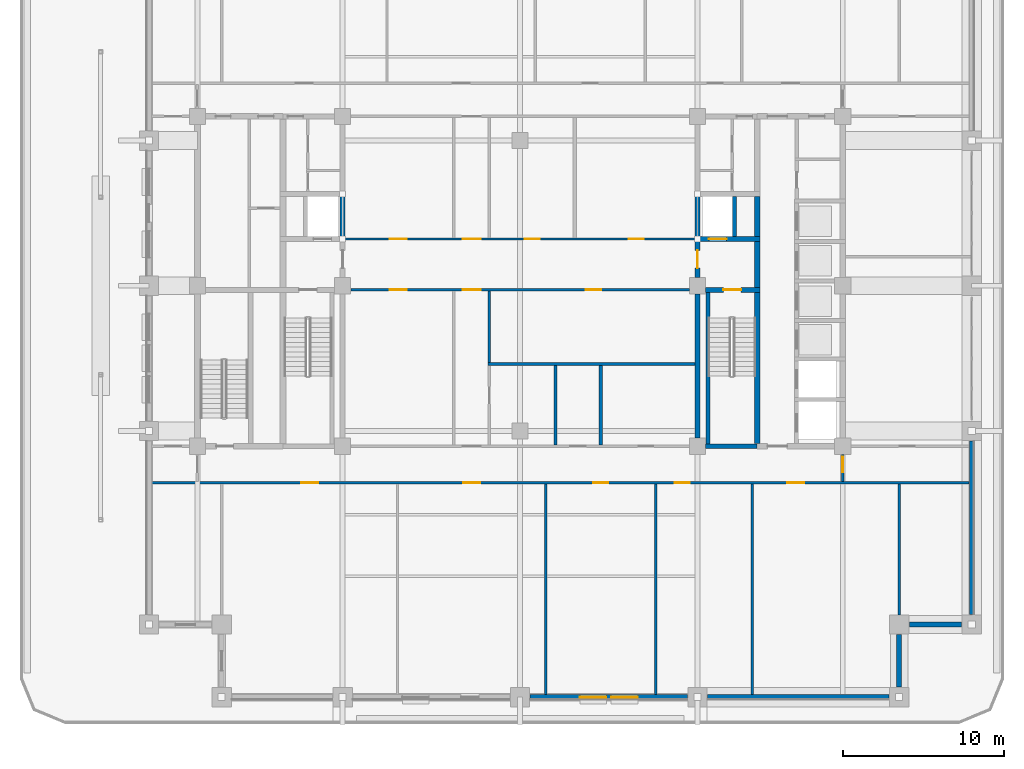
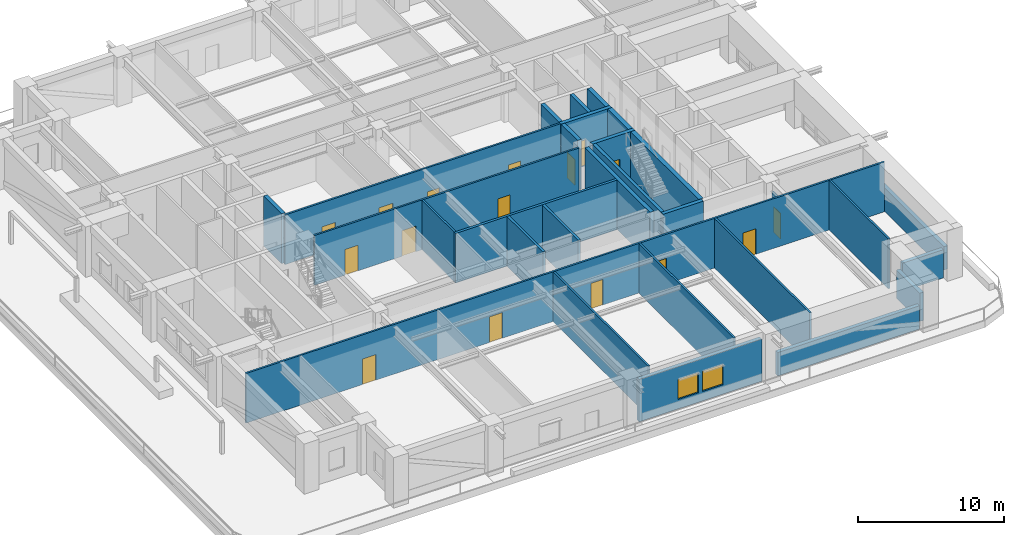
# One storey, part 9 of 21: 29 walls, 16 doors, 2 windows, 18 openings.
"""IFC4 building model written with IfcOpenShell, lengths in metres."""

from ifc_helpers import new_model, si_unit, direction, frame, frame_2d, origin, place, context, subcontext, project, spatial, rectangle, extrude, material, layer, layer_set, type_object, element, fill, save


model = new_model("IFC4")

# Units and contexts
model_context = context("Model", 3, precision=1e-05, world=origin(), true_north=direction((0.0, 1.0)))
body_context = subcontext(model_context, "Body", "Model", "MODEL_VIEW")
ifc_project = project(units=[si_unit("LENGTHUNIT", "METRE"), si_unit("AREAUNIT", "SQUARE_METRE"), si_unit("VOLUMEUNIT", "CUBIC_METRE"), si_unit("PLANEANGLEUNIT", "RADIAN"), si_unit("MASSUNIT", "GRAM", prefix="KILO")], contexts=[model_context])

# Site, building, storey
site_placement = place(None, origin())
site = spatial("IfcSite", under=ifc_project, at=site_placement, CompositionType="ELEMENT")
building_placement = place(site_placement, origin())
building = spatial("IfcBuilding", under=site, at=building_placement, Name="Zulmaris Gate Convention Tower", CompositionType="ELEMENT")
storey_placement = place(building_placement, frame((0.0, 0.0, 86.93994140625)))
storey = spatial("IfcBuildingStorey", under=building, at=storey_placement, Name="L21", CompositionType="ELEMENT", Elevation=86.93994140625)

# Walls
ifc_material_1 = material(Name="Concrete C50/60", Category="concrete")
ifc_layer_1 = layer(ifc_material_1, 0.25, Name="Concrete C50/60")
ifc_layer_set_1 = layer_set([ifc_layer_1], Name="Concrete C50/60")
wall_type_1 = type_object("IfcWallType", Name="CORE-250", PredefinedType="SOLIDWALL", material=ifc_layer_set_1)
wall_1_placement = place(storey_placement, frame((11.64990234375, -9.798095703125, 0.0), z_axis=(0.0, 0.0, 1.0), x_axis=(0.0, 1.0, 0.0)))
element("IfcWall", 1, at=wall_1_placement, inside=storey, type_object=wall_type_1, Name="WL-L21-054", PredefinedType="SOLIDWALL", context=body_context, shape_type="SweptSolid", body=[
    extrude(rectangle(XDim=9.39599609375, YDim=0.25, at=frame_2d((4.697998046875, 0.0))), origin(), (0.0, 0.0, 1.0), 4.169921875),
])
wall_2_placement = place(storey_placement, frame((13.300048828125, 3.052001953125, 0.0), z_axis=(0.0, 0.0, 1.0), x_axis=(0.0, 1.0, 0.0)))
element("IfcWall", 2, at=wall_2_placement, inside=storey, type_object=wall_type_1, Name="WL-L21-055", PredefinedType="SOLIDWALL", context=body_context, shape_type="SweptSolid", body=[
    extrude(rectangle(XDim=2.49609375, YDim=0.25, at=frame_2d((1.248046875, 0.0))), origin(), (0.0, 0.0, 1.0), 4.169921875),
])
ifc_layer_2 = layer(ifc_material_1, 0.300048828125, Name="Concrete C50/60")
ifc_layer_set_2 = layer_set([ifc_layer_2], Name="Concrete C50/60")
wall_type_2 = type_object("IfcWallType", Name="CORE-300", PredefinedType="SHEAR", material=ifc_layer_set_2)
wall_3_placement = place(storey_placement, frame((11.50390625, -9.949951171875, 0.0), z_axis=(0.0, 0.0, 1.0), x_axis=(1.0, 0.0, 0.0)))
element("IfcWall", 3, at=wall_3_placement, inside=storey, type_object=wall_type_2, Name="WL-L21-003", PredefinedType="SHEAR", context=body_context, shape_type="SweptSolid", body=[
    extrude(rectangle(XDim=3.196044921875, YDim=0.300048828125, at=frame_2d((1.59814453125, 0.0))), origin(), (0.0, 0.0, 1.0), 4.169921875),
])

# Wall, opening, door
wall_4_placement = place(storey_placement, frame((11.50390625, -0.25, 0.0), z_axis=(0.0, 0.0, 1.0), x_axis=(1.0, 0.0, 0.0)))
wall_4 = element("IfcWall", 4, at=wall_4_placement, inside=storey, type_object=wall_type_2, Name="WL-L21-009", PredefinedType="SHEAR", context=body_context, shape_type="SweptSolid", body=[
    extrude(rectangle(XDim=3.37109375, YDim=0.300048828125, at=frame_2d((1.685546875, 0.0))), origin(), (0.0, 0.0, 1.0), 4.169921875),
])
opening_1_placement = place(wall_4_placement, frame((1.095947265625, 0.0, 0.0)))
opening_1 = element("IfcOpeningElement", 5, at=opening_1_placement, cuts=wall_4, Name="Opening D-08", PredefinedType="OPENING", context=body_context, shape_type="SweptSolid", body=[
    extrude(rectangle(XDim=1.10009765625, YDim=2.14990234375, at=frame_2d((0.550048828125, 1.074951171875))), frame((0.0, 0.16015625, 0.0), z_axis=(0.0, -1.0, 0.0), x_axis=(1.0, 0.0, 0.0)), (0.0, 0.0, 1.0), 0.320068359375),
])
ifc_material_2 = material(Name="Fire-Rated Steel", Category="steel")
door_type_1 = type_object("IfcDoorType", Name="DR-1100-FD", OperationType="NOTDEFINED", PredefinedType="DOOR", material=ifc_material_2)
door_1_placement = place(opening_1_placement, origin())
door_1 = element("IfcDoor", 6, at=door_1_placement, inside=storey, type_object=door_type_1, Name="L21 Exit Stair ST-2 Door 04", OperationType="SINGLE_SWING_LEFT", OverallHeight=2.14990234375, OverallWidth=1.10009765625, PredefinedType="DOOR", context=body_context, shape_type="SweptSolid", body=[
    extrude(rectangle(XDim=1.10009765625, YDim=2.14990234375, at=frame_2d((0.550048828125, 1.074951171875))), frame((0.0, 0.02490234375, 0.0), z_axis=(0.0, -1.0, 0.0), x_axis=(1.0, 0.0, 0.0)), (0.0, 0.0, 1.0), 0.050048828125),
])
fill(opening_1, door_1)

wall_5_placement = place(storey_placement, frame((10.85009765625, 2.89990234375, 0.0), z_axis=(0.0, 0.0, 1.0), x_axis=(1.0, 0.0, 0.0)))
wall_5 = element("IfcWall", 7, at=wall_5_placement, inside=storey, type_object=wall_type_2, Name="WL-L21-013", PredefinedType="SHEAR", context=body_context, shape_type="SweptSolid", body=[
    extrude(rectangle(XDim=4.02490234375, YDim=0.300048828125, at=frame_2d((2.012451171875, 0.0))), origin(), (0.0, 0.0, 1.0), 4.169921875),
])
opening_2_placement = place(wall_5_placement, frame((0.85009765625, 0.0, 0.0)))
opening_2 = element("IfcOpeningElement", 8, at=opening_2_placement, cuts=wall_5, Name="Opening D-06", PredefinedType="OPENING", context=body_context, shape_type="SweptSolid", body=[
    extrude(rectangle(XDim=1.10009765625, YDim=2.199951171875, at=frame_2d((0.550048828125, 1.10009765625))), frame((0.0, 0.16015625, 0.0), z_axis=(0.0, -1.0, 0.0), x_axis=(1.0, 0.0, 0.0)), (0.0, 0.0, 1.0), 0.320068359375),
])
ifc_material_3 = material(Name="Brushed Stainless Steel", Category="steel")
door_type_2 = type_object("IfcDoorType", Name="LD-1100", OperationType="NOTDEFINED", PredefinedType="DOOR", material=ifc_material_3)
door_2_placement = place(opening_2_placement, origin())
door_2 = element("IfcDoor", 9, at=door_2_placement, inside=storey, type_object=door_type_2, Name="L21 Lift Landing Door LF-02 06", OperationType="SLIDING_TO_RIGHT", OverallHeight=2.199951171875, OverallWidth=1.10009765625, PredefinedType="DOOR", context=body_context, shape_type="SweptSolid", body=[
    extrude(rectangle(XDim=1.10009765625, YDim=2.199951171875, at=frame_2d((0.550048828125, 1.10009765625))), frame((0.0, 0.02490234375, 0.0), z_axis=(0.0, -1.0, 0.0), x_axis=(1.0, 0.0, 0.0)), (0.0, 0.0, 1.0), 0.050048828125),
])
fill(opening_2, door_2)

# Walls
wall_6_placement = place(storey_placement, frame((-11.0, 3.052001953125, 0.0), z_axis=(0.0, 0.0, 1.0), x_axis=(0.0, 1.0, 0.0)))
element("IfcWall", 10, at=wall_6_placement, inside=storey, type_object=wall_type_2, Name="WL-L21-048", PredefinedType="SHEAR", context=body_context, shape_type="SweptSolid", body=[
    extrude(rectangle(XDim=2.49609375, YDim=0.300048828125, at=frame_2d((1.248046875, 0.0))), origin(), (0.0, 0.0, 1.0), 4.169921875),
])
wall_7_placement = place(storey_placement, frame((11.0, -9.446044921875, 0.0), z_axis=(0.0, 0.0, 1.0), x_axis=(0.0, 1.0, 0.0)))
element("IfcWall", 11, at=wall_7_placement, inside=storey, type_object=wall_type_2, Name="WL-L21-050", PredefinedType="SHEAR", context=body_context, shape_type="SweptSolid", body=[
    extrude(rectangle(XDim=8.942138671875, YDim=0.300048828125, at=frame_2d((4.47119140625, 0.0))), origin(), (0.0, 0.0, 1.0), 4.169921875),
])

# Wall, opening, door
wall_8_placement = place(storey_placement, frame((11.0, 0.50390625, 0.0), z_axis=(0.0, 0.0, 1.0), x_axis=(0.0, 1.0, 0.0)))
wall_8 = element("IfcWall", 12, at=wall_8_placement, inside=storey, type_object=wall_type_2, Name="WL-L21-051", PredefinedType="SHEAR", context=body_context, shape_type="SweptSolid", body=[
    extrude(rectangle(XDim=2.244140625, YDim=0.300048828125, at=frame_2d((1.1220703125, 0.0))), origin(), (0.0, 0.0, 1.0), 4.169921875),
])
opening_3_placement = place(wall_8_placement, frame((0.595947265625, 0.0, 0.0)))
opening_3 = element("IfcOpeningElement", 13, at=opening_3_placement, cuts=wall_8, Name="Opening D-08", PredefinedType="OPENING", context=body_context, shape_type="SweptSolid", body=[
    extrude(rectangle(XDim=1.10009765625, YDim=2.14990234375, at=frame_2d((0.550048828125, 1.074951171875))), frame((0.0, 0.16015625, 0.0), z_axis=(0.0, -1.0, 0.0), x_axis=(1.0, 0.0, 0.0)), (0.0, 0.0, 1.0), 0.320068359375),
])
door_3_placement = place(opening_3_placement, origin())
door_3 = element("IfcDoor", 14, at=door_3_placement, inside=storey, type_object=door_type_1, Name="L21 East Firefighting Lobby Door 05", OperationType="SINGLE_SWING_RIGHT", OverallHeight=2.14990234375, OverallWidth=1.10009765625, PredefinedType="DOOR", context=body_context, shape_type="SweptSolid", body=[
    extrude(rectangle(XDim=1.10009765625, YDim=2.14990234375, at=frame_2d((0.550048828125, 1.074951171875))), frame((0.0, 0.02490234375, 0.0), z_axis=(0.0, -1.0, 0.0), x_axis=(1.0, 0.0, 0.0)), (0.0, 0.0, 1.0), 0.050048828125),
])
fill(opening_3, door_3)

# Walls
wall_9_placement = place(storey_placement, frame((11.0, 3.052001953125, 0.0), z_axis=(0.0, 0.0, 1.0), x_axis=(0.0, 1.0, 0.0)))
element("IfcWall", 15, at=wall_9_placement, inside=storey, type_object=wall_type_2, Name="WL-L21-052", PredefinedType="SHEAR", context=body_context, shape_type="SweptSolid", body=[
    extrude(rectangle(XDim=2.49609375, YDim=0.300048828125, at=frame_2d((1.248046875, 0.0))), origin(), (0.0, 0.0, 1.0), 4.169921875),
])
ifc_material_4 = material(Name="Concrete C55/67", Category="concrete")
ifc_layer_3 = layer(ifc_material_4, 0.35009765625, Name="Concrete C55/67")
ifc_layer_set_3 = layer_set([ifc_layer_3], Name="Concrete C55/67")
wall_type_3 = type_object("IfcWallType", Name="CORE-350", PredefinedType="SHEAR", material=ifc_layer_set_3)
wall_10_placement = place(storey_placement, frame((14.699951171875, -9.77294921875, 0.0), z_axis=(0.0, 0.0, 1.0), x_axis=(0.0, 1.0, 0.0)))
element("IfcWall", 16, at=wall_10_placement, inside=storey, type_object=wall_type_3, Name="WL-L21-056", PredefinedType="SHEAR", context=body_context, shape_type="SweptSolid", body=[
    extrude(rectangle(XDim=9.370849609375, YDim=0.35009765625, at=frame_2d((4.685546875, 0.0))), origin(), (0.0, 0.0, 1.0), 4.169921875),
])
wall_11_placement = place(storey_placement, frame((14.699951171875, -0.097900390625, 0.0), z_axis=(0.0, 0.0, 1.0), x_axis=(0.0, 1.0, 0.0)))
element("IfcWall", 17, at=wall_11_placement, inside=storey, type_object=wall_type_3, Name="WL-L21-057", PredefinedType="SHEAR", context=body_context, shape_type="SweptSolid", body=[
    extrude(rectangle(XDim=2.845947265625, YDim=0.35009765625, at=frame_2d((1.4228515625, 0.0))), origin(), (0.0, 0.0, 1.0), 4.169921875),
])
wall_12_placement = place(storey_placement, frame((14.699951171875, 3.052001953125, 0.0), z_axis=(0.0, 0.0, 1.0), x_axis=(0.0, 1.0, 0.0)))
element("IfcWall", 18, at=wall_12_placement, inside=storey, type_object=wall_type_3, Name="WL-L21-058", PredefinedType="SHEAR", context=body_context, shape_type="SweptSolid", body=[
    extrude(rectangle(XDim=2.49609375, YDim=0.35009765625, at=frame_2d((1.248046875, 0.0))), origin(), (0.0, 0.0, 1.0), 4.169921875),
])

# Wall, openings, doors
ifc_material_5 = material(Name="Gypsum Metal Stud Partition")
ifc_layer_4 = layer(ifc_material_5, 0.14990234375, Name="Gypsum Metal Stud Partition")
ifc_layer_set_4 = layer_set([ifc_layer_4], Name="Gypsum Metal Stud Partition")
wall_type_4 = type_object("IfcWallType", Name="PART-150", PredefinedType="PARTITIONING", material=ifc_layer_set_4)
wall_13_placement = place(storey_placement, frame((-22.8349609375, -12.199951171875, 0.0), z_axis=(0.0, 0.0, 1.0), x_axis=(1.0, 0.0, 0.0)))
wall_13 = element("IfcWall", 19, at=wall_13_placement, inside=storey, type_object=wall_type_4, Name="WL-L21-021", PredefinedType="PARTITIONING", context=body_context, shape_type="SweptSolid", body=[
    extrude(rectangle(XDim=50.669921875, YDim=0.14990234375, at=frame_2d((25.3349609375, 0.0))), origin(), (0.0, 0.0, 1.0), 4.169921875),
])
opening_4_placement = place(wall_13_placement, frame((9.260009765625, 0.0, 0.0)))
opening_4 = element("IfcOpeningElement", 20, at=opening_4_placement, cuts=wall_13, Name="Opening D-09", PredefinedType="OPENING", context=body_context, shape_type="SweptSolid", body=[
    extrude(rectangle(XDim=1.050048828125, YDim=2.14990234375, at=frame_2d((0.52490234375, 1.074951171875))), frame((0.0, 0.0849609375, 0.0), z_axis=(0.0, -1.0, 0.0), x_axis=(1.0, 0.0, 0.0)), (0.0, 0.0, 1.0), 0.169921875),
])
opening_5_placement = place(wall_13_placement, frame((19.31005859375, 0.0, 0.0)))
opening_5 = element("IfcOpeningElement", 21, at=opening_5_placement, cuts=wall_13, Name="Opening D-09", PredefinedType="OPENING", context=body_context, shape_type="SweptSolid", body=[
    extrude(rectangle(XDim=1.050048828125, YDim=2.14990234375, at=frame_2d((0.52490234375, 1.074951171875))), frame((0.0, 0.0849609375, 0.0), z_axis=(0.0, -1.0, 0.0), x_axis=(1.0, 0.0, 0.0)), (0.0, 0.0, 1.0), 0.169921875),
])
opening_6_placement = place(wall_13_placement, frame((27.360107421875, 0.0, 0.0)))
opening_6 = element("IfcOpeningElement", 22, at=opening_6_placement, cuts=wall_13, Name="Opening D-11", PredefinedType="OPENING", context=body_context, shape_type="SweptSolid", body=[
    extrude(rectangle(XDim=0.949951171875, YDim=2.14990234375, at=frame_2d((0.47509765625, 1.074951171875))), frame((0.0, 0.0849609375, 0.0), z_axis=(0.0, -1.0, 0.0), x_axis=(1.0, 0.0, 0.0)), (0.0, 0.0, 1.0), 0.169921875),
])
opening_7_placement = place(wall_13_placement, frame((32.409912109375, 0.0, 0.0)))
opening_7 = element("IfcOpeningElement", 23, at=opening_7_placement, cuts=wall_13, Name="Opening D-11", PredefinedType="OPENING", context=body_context, shape_type="SweptSolid", body=[
    extrude(rectangle(XDim=0.949951171875, YDim=2.14990234375, at=frame_2d((0.47509765625, 1.074951171875))), frame((0.0, 0.0849609375, 0.0), z_axis=(0.0, -1.0, 0.0), x_axis=(1.0, 0.0, 0.0)), (0.0, 0.0, 1.0), 0.169921875),
])
opening_8_placement = place(wall_13_placement, frame((39.409912109375, 0.0, 0.0)))
opening_8 = element("IfcOpeningElement", 24, at=opening_8_placement, cuts=wall_13, Name="Opening D-09", PredefinedType="OPENING", context=body_context, shape_type="SweptSolid", body=[
    extrude(rectangle(XDim=1.050048828125, YDim=2.14990234375, at=frame_2d((0.52490234375, 1.074951171875))), frame((0.0, 0.0849609375, 0.0), z_axis=(0.0, -1.0, 0.0), x_axis=(1.0, 0.0, 0.0)), (0.0, 0.0, 1.0), 0.169921875),
])
door_type_3 = type_object("IfcDoorType", Name="DR-1050-FD", OperationType="NOTDEFINED", PredefinedType="DOOR", material=ifc_material_2)
door_4_placement = place(opening_4_placement, origin())
door_4 = element("IfcDoor", 25, at=door_4_placement, inside=storey, type_object=door_type_3, Name="L21 Partner Corner Office Door 36", OperationType="SINGLE_SWING_RIGHT", OverallHeight=2.14990234375, OverallWidth=1.050048828125, PredefinedType="DOOR", context=body_context, shape_type="SweptSolid", body=[
    extrude(rectangle(XDim=1.050048828125, YDim=2.14990234375, at=frame_2d((0.52490234375, 1.074951171875))), frame((0.0, 0.02490234375, 0.0), z_axis=(0.0, -1.0, 0.0), x_axis=(1.0, 0.0, 0.0)), (0.0, 0.0, 1.0), 0.050048828125),
])
fill(opening_4, door_4)
door_5_placement = place(opening_5_placement, origin())
door_5 = element("IfcDoor", 26, at=door_5_placement, inside=storey, type_object=door_type_3, Name="L21 Advisory Suite Office Door 37", OperationType="SINGLE_SWING_LEFT", OverallHeight=2.14990234375, OverallWidth=1.050048828125, PredefinedType="DOOR", context=body_context, shape_type="SweptSolid", body=[
    extrude(rectangle(XDim=1.050048828125, YDim=2.14990234375, at=frame_2d((0.52490234375, 1.074951171875))), frame((0.0, 0.02490234375, 0.0), z_axis=(0.0, -1.0, 0.0), x_axis=(1.0, 0.0, 0.0)), (0.0, 0.0, 1.0), 0.050048828125),
])
fill(opening_5, door_5)
door_6_placement = place(opening_8_placement, origin())
door_6 = element("IfcDoor", 27, at=door_6_placement, inside=storey, type_object=door_type_3, Name="L21 Partner Corner Office Door 40", OperationType="SINGLE_SWING_RIGHT", OverallHeight=2.14990234375, OverallWidth=1.050048828125, PredefinedType="DOOR", context=body_context, shape_type="SweptSolid", body=[
    extrude(rectangle(XDim=1.050048828125, YDim=2.14990234375, at=frame_2d((0.52490234375, 1.074951171875))), frame((0.0, 0.02490234375, 0.0), z_axis=(0.0, -1.0, 0.0), x_axis=(1.0, 0.0, 0.0)), (0.0, 0.0, 1.0), 0.050048828125),
])
fill(opening_8, door_6)
ifc_material_6 = material(Name="Fire-Rated Timber", Category="wood")
door_type_4 = type_object("IfcDoorType", Name="DR-950-FD", OperationType="NOTDEFINED", PredefinedType="DOOR", material=ifc_material_6)
door_7_placement = place(opening_6_placement, origin())
door_7 = element("IfcDoor", 28, at=door_7_placement, inside=storey, type_object=door_type_4, Name="L21 Open Plan Workplace Door 38", OperationType="SINGLE_SWING_RIGHT", OverallHeight=2.14990234375, OverallWidth=0.949951171875, PredefinedType="DOOR", context=body_context, shape_type="SweptSolid", body=[
    extrude(rectangle(XDim=0.949951171875, YDim=2.14990234375, at=frame_2d((0.47509765625, 1.074951171875))), frame((0.0, 0.02490234375, 0.0), z_axis=(0.0, -1.0, 0.0), x_axis=(1.0, 0.0, 0.0)), (0.0, 0.0, 1.0), 0.050048828125),
])
fill(opening_6, door_7)
door_8_placement = place(opening_7_placement, origin())
door_8 = element("IfcDoor", 29, at=door_8_placement, inside=storey, type_object=door_type_4, Name="L21 Executive Office Door 39", OperationType="SINGLE_SWING_LEFT", OverallHeight=2.14990234375, OverallWidth=0.949951171875, PredefinedType="DOOR", context=body_context, shape_type="SweptSolid", body=[
    extrude(rectangle(XDim=0.949951171875, YDim=2.14990234375, at=frame_2d((0.47509765625, 1.074951171875))), frame((0.0, 0.02490234375, 0.0), z_axis=(0.0, -1.0, 0.0), x_axis=(1.0, 0.0, 0.0)), (0.0, 0.0, 1.0), 0.050048828125),
])
fill(opening_7, door_8)

wall_14_placement = place(storey_placement, frame((-10.493896484375, -0.25, 0.0), z_axis=(0.0, 0.0, 1.0), x_axis=(1.0, 0.0, 0.0)))
wall_14 = element("IfcWall", 30, at=wall_14_placement, inside=storey, type_object=wall_type_4, Name="WL-L21-026", PredefinedType="PARTITIONING", context=body_context, shape_type="SweptSolid", body=[
    extrude(rectangle(XDim=20.98779296875, YDim=0.14990234375, at=frame_2d((10.493896484375, 0.0))), origin(), (0.0, 0.0, 1.0), 4.169921875),
])
opening_9_placement = place(wall_14_placement, frame((6.944091796875, 0.0, 0.0)))
opening_9 = element("IfcOpeningElement", 31, at=opening_9_placement, cuts=wall_14, Name="Opening D-08", PredefinedType="OPENING", context=body_context, shape_type="SweptSolid", body=[
    extrude(rectangle(XDim=1.10009765625, YDim=2.14990234375, at=frame_2d((0.550048828125, 1.074951171875))), frame((0.0, 0.0849609375, 0.0), z_axis=(0.0, -1.0, 0.0), x_axis=(1.0, 0.0, 0.0)), (0.0, 0.0, 1.0), 0.169921875),
])
opening_10_placement = place(wall_14_placement, frame((2.4189453125, 0.0, 0.0)))
opening_10 = element("IfcOpeningElement", 32, at=opening_10_placement, cuts=wall_14, Name="Opening D-09", PredefinedType="OPENING", context=body_context, shape_type="SweptSolid", body=[
    extrude(rectangle(XDim=1.050048828125, YDim=2.14990234375, at=frame_2d((0.52490234375, 1.074951171875))), frame((0.0, 0.0849609375, 0.0), z_axis=(0.0, -1.0, 0.0), x_axis=(1.0, 0.0, 0.0)), (0.0, 0.0, 1.0), 0.169921875),
])
opening_11_placement = place(wall_14_placement, frame((14.569091796875, 0.0, 0.0)))
opening_11 = element("IfcOpeningElement", 33, at=opening_11_placement, cuts=wall_14, Name="Opening D-11", PredefinedType="OPENING", context=body_context, shape_type="SweptSolid", body=[
    extrude(rectangle(XDim=0.949951171875, YDim=2.14990234375, at=frame_2d((0.47509765625, 1.074951171875))), frame((0.0, 0.0849609375, 0.0), z_axis=(0.0, -1.0, 0.0), x_axis=(1.0, 0.0, 0.0)), (0.0, 0.0, 1.0), 0.169921875),
])
door_9_placement = place(opening_10_placement, origin())
door_9 = element("IfcDoor", 34, at=door_9_placement, inside=storey, type_object=door_type_3, Name="L21 Sky Library Door 44", OperationType="SINGLE_SWING_RIGHT", OverallHeight=2.14990234375, OverallWidth=1.050048828125, PredefinedType="DOOR", context=body_context, shape_type="SweptSolid", body=[
    extrude(rectangle(XDim=1.050048828125, YDim=2.14990234375, at=frame_2d((0.52490234375, 1.074951171875))), frame((0.0, 0.02490234375, 0.0), z_axis=(0.0, -1.0, 0.0), x_axis=(1.0, 0.0, 0.0)), (0.0, 0.0, 1.0), 0.050048828125),
])
fill(opening_10, door_9)
door_10_placement = place(opening_9_placement, origin())
door_10 = element("IfcDoor", 35, at=door_10_placement, inside=storey, type_object=door_type_1, Name="L21 Cross Spine South Door 30", OperationType="SINGLE_SWING_RIGHT", OverallHeight=2.14990234375, OverallWidth=1.10009765625, PredefinedType="DOOR", context=body_context, shape_type="SweptSolid", body=[
    extrude(rectangle(XDim=1.10009765625, YDim=2.14990234375, at=frame_2d((0.550048828125, 1.074951171875))), frame((0.0, 0.02490234375, 0.0), z_axis=(0.0, -1.0, 0.0), x_axis=(1.0, 0.0, 0.0)), (0.0, 0.0, 1.0), 0.050048828125),
])
fill(opening_9, door_10)
door_11_placement = place(opening_11_placement, origin())
door_11 = element("IfcDoor", 36, at=door_11_placement, inside=storey, type_object=door_type_4, Name="L21 Public WC Door 45", OperationType="SINGLE_SWING_LEFT", OverallHeight=2.14990234375, OverallWidth=0.949951171875, PredefinedType="DOOR", context=body_context, shape_type="SweptSolid", body=[
    extrude(rectangle(XDim=0.949951171875, YDim=2.14990234375, at=frame_2d((0.47509765625, 1.074951171875))), frame((0.0, 0.02490234375, 0.0), z_axis=(0.0, -1.0, 0.0), x_axis=(1.0, 0.0, 0.0)), (0.0, 0.0, 1.0), 0.050048828125),
])
fill(opening_11, door_11)

wall_15_placement = place(storey_placement, frame((-11.0, 2.89990234375, 0.0), z_axis=(0.0, 0.0, 1.0), x_axis=(1.0, 0.0, 0.0)))
wall_15 = element("IfcWall", 37, at=wall_15_placement, inside=storey, type_object=wall_type_4, Name="WL-L21-028", PredefinedType="PARTITIONING", context=body_context, shape_type="SweptSolid", body=[
    extrude(rectangle(XDim=22.0, YDim=0.14990234375, at=frame_2d((11.0, 0.0))), origin(), (0.0, 0.0, 1.0), 4.169921875),
])
opening_12_placement = place(wall_15_placement, frame((7.449951171875, 0.0, 0.0)))
opening_12 = element("IfcOpeningElement", 38, at=opening_12_placement, cuts=wall_15, Name="Opening D-08", PredefinedType="OPENING", context=body_context, shape_type="SweptSolid", body=[
    extrude(rectangle(XDim=1.10009765625, YDim=2.14990234375, at=frame_2d((0.550048828125, 1.074951171875))), frame((0.0, 0.0849609375, 0.0), z_axis=(0.0, -1.0, 0.0), x_axis=(1.0, 0.0, 0.0)), (0.0, 0.0, 1.0), 0.169921875),
])
opening_13_placement = place(wall_15_placement, frame((2.925048828125, 0.0, 0.0)))
opening_13 = element("IfcOpeningElement", 39, at=opening_13_placement, cuts=wall_15, Name="Opening D-09", PredefinedType="OPENING", context=body_context, shape_type="SweptSolid", body=[
    extrude(rectangle(XDim=1.050048828125, YDim=2.14990234375, at=frame_2d((0.52490234375, 1.074951171875))), frame((0.0, 0.0849609375, 0.0), z_axis=(0.0, -1.0, 0.0), x_axis=(1.0, 0.0, 0.0)), (0.0, 0.0, 1.0), 0.169921875),
])
opening_14_placement = place(wall_15_placement, frame((11.27490234375, 0.0, 0.0)))
opening_14 = element("IfcOpeningElement", 40, at=opening_14_placement, cuts=wall_15, Name="Opening D-11", PredefinedType="OPENING", context=body_context, shape_type="SweptSolid", body=[
    extrude(rectangle(XDim=0.949951171875, YDim=2.14990234375, at=frame_2d((0.47509765625, 1.074951171875))), frame((0.0, 0.0849609375, 0.0), z_axis=(0.0, -1.0, 0.0), x_axis=(1.0, 0.0, 0.0)), (0.0, 0.0, 1.0), 0.169921875),
])
opening_15_placement = place(wall_15_placement, frame((17.72509765625, 0.0, 0.0)))
opening_15 = element("IfcOpeningElement", 41, at=opening_15_placement, cuts=wall_15, Name="Opening D-11", PredefinedType="OPENING", context=body_context, shape_type="SweptSolid", body=[
    extrude(rectangle(XDim=0.949951171875, YDim=2.14990234375, at=frame_2d((0.47509765625, 1.074951171875))), frame((0.0, 0.0849609375, 0.0), z_axis=(0.0, -1.0, 0.0), x_axis=(1.0, 0.0, 0.0)), (0.0, 0.0, 1.0), 0.169921875),
])
door_12_placement = place(opening_13_placement, origin())
door_12 = element("IfcDoor", 42, at=door_12_placement, inside=storey, type_object=door_type_3, Name="L21 Reception Door 41", OperationType="SINGLE_SWING_LEFT", OverallHeight=2.14990234375, OverallWidth=1.050048828125, PredefinedType="DOOR", context=body_context, shape_type="SweptSolid", body=[
    extrude(rectangle(XDim=1.050048828125, YDim=2.14990234375, at=frame_2d((0.52490234375, 1.074951171875))), frame((0.0, 0.02490234375, 0.0), z_axis=(0.0, -1.0, 0.0), x_axis=(1.0, 0.0, 0.0)), (0.0, 0.0, 1.0), 0.050048828125),
])
fill(opening_13, door_12)
door_13_placement = place(opening_12_placement, origin())
door_13 = element("IfcDoor", 43, at=door_13_placement, inside=storey, type_object=door_type_1, Name="L21 Cross Spine North Door 29", OperationType="SINGLE_SWING_LEFT", OverallHeight=2.14990234375, OverallWidth=1.10009765625, PredefinedType="DOOR", context=body_context, shape_type="SweptSolid", body=[
    extrude(rectangle(XDim=1.10009765625, YDim=2.14990234375, at=frame_2d((0.550048828125, 1.074951171875))), frame((0.0, 0.02490234375, 0.0), z_axis=(0.0, -1.0, 0.0), x_axis=(1.0, 0.0, 0.0)), (0.0, 0.0, 1.0), 0.050048828125),
])
fill(opening_12, door_13)
door_14_placement = place(opening_14_placement, origin())
door_14 = element("IfcDoor", 44, at=door_14_placement, inside=storey, type_object=door_type_4, Name="L21 Briefing Door 42", OperationType="SINGLE_SWING_RIGHT", OverallHeight=2.14990234375, OverallWidth=0.949951171875, PredefinedType="DOOR", context=body_context, shape_type="SweptSolid", body=[
    extrude(rectangle(XDim=0.949951171875, YDim=2.14990234375, at=frame_2d((0.47509765625, 1.074951171875))), frame((0.0, 0.02490234375, 0.0), z_axis=(0.0, -1.0, 0.0), x_axis=(1.0, 0.0, 0.0)), (0.0, 0.0, 1.0), 0.050048828125),
])
fill(opening_14, door_14)
door_15_placement = place(opening_15_placement, origin())
door_15 = element("IfcDoor", 45, at=door_15_placement, inside=storey, type_object=door_type_4, Name="L21 Dining Pantry Door 43", OperationType="SINGLE_SWING_LEFT", OverallHeight=2.14990234375, OverallWidth=0.949951171875, PredefinedType="DOOR", context=body_context, shape_type="SweptSolid", body=[
    extrude(rectangle(XDim=0.949951171875, YDim=2.14990234375, at=frame_2d((0.47509765625, 1.074951171875))), frame((0.0, 0.02490234375, 0.0), z_axis=(0.0, -1.0, 0.0), x_axis=(1.0, 0.0, 0.0)), (0.0, 0.0, 1.0), 0.050048828125),
])
fill(opening_15, door_15)

# Walls
wall_16_placement = place(storey_placement, frame((-1.89990234375, -4.7470703125, 0.0), z_axis=(0.0, 0.0, 1.0), x_axis=(0.0, 1.0, 0.0)))
element("IfcWall", 46, at=wall_16_placement, inside=storey, type_object=wall_type_4, Name="WL-L21-086", PredefinedType="PARTITIONING", context=body_context, shape_type="SweptSolid", body=[
    extrude(rectangle(XDim=4.419189453125, YDim=0.14990234375, at=frame_2d((2.20947265625, 0.0))), origin(), (0.0, 0.0, 1.0), 4.169921875),
])
for number, where, z_axis, x_axis, name in (
    (47, (1.60009765625, -25.3349609375, 0.0), (0.0, 0.0, 1.0), (0.0, 1.0, 0.0), "WL-L21-089"),
    (48, (8.39990234375, -25.3349609375, 0.0), (0.0, 0.0, 1.0), (0.0, 1.0, 0.0), "WL-L21-094"),
    (49, (14.39990234375, -25.3349609375, 0.0), (0.0, 0.0, 1.0), (0.0, 1.0, 0.0), "WL-L21-098"),
):
    element("IfcWall", number, at=place(storey_placement, frame(where, z_axis=z_axis, x_axis=x_axis)), inside=storey, type_object=wall_type_4, Name=name, PredefinedType="PARTITIONING", context=body_context, shape_type="SweptSolid", body=[
        extrude(rectangle(XDim=13.056884765625, YDim=0.14990234375, at=frame_2d((6.5283203125, 0.0))), origin(), (0.0, 0.0, 1.0), 4.169921875),
    ])

# Wall, opening, door
wall_17_placement = place(storey_placement, frame((20.0, -12.1220703125, 0.0), z_axis=(0.0, 0.0, 1.0), x_axis=(0.0, 1.0, 0.0)))
wall_17 = element("IfcWall", 50, at=wall_17_placement, inside=storey, type_object=wall_type_4, Name="WL-L21-101", PredefinedType="PARTITIONING", context=body_context, shape_type="SweptSolid", body=[
    extrude(rectangle(XDim=1.666015625, YDim=0.14990234375, at=frame_2d((0.8330078125, 0.0))), origin(), (0.0, 0.0, 1.0), 3.35986328125),
])
opening_16_placement = place(wall_17_placement, frame((0.56591796875, 0.0, 0.0)))
opening_16 = element("IfcOpeningElement", 51, at=opening_16_placement, cuts=wall_17, Name="Opening D-11", PredefinedType="OPENING", context=body_context, shape_type="SweptSolid", body=[
    extrude(rectangle(XDim=0.949951171875, YDim=2.14990234375, at=frame_2d((0.47509765625, 1.074951171875))), frame((0.0, 0.0849609375, 0.0), z_axis=(0.0, -1.0, 0.0), x_axis=(1.0, 0.0, 0.0)), (0.0, 0.0, 1.0), 0.169921875),
])
door_16_placement = place(opening_16_placement, origin())
door_16 = element("IfcDoor", 52, at=door_16_placement, inside=storey, type_object=door_type_4, Name="L21 SE Spur Door 54", OperationType="SINGLE_SWING_RIGHT", OverallHeight=2.14990234375, OverallWidth=0.949951171875, PredefinedType="DOOR", context=body_context, shape_type="SweptSolid", body=[
    extrude(rectangle(XDim=0.949951171875, YDim=2.14990234375, at=frame_2d((0.47509765625, 1.074951171875))), frame((0.0, 0.02490234375, 0.0), z_axis=(0.0, -1.0, 0.0), x_axis=(1.0, 0.0, 0.0)), (0.0, 0.0, 1.0), 0.050048828125),
])
fill(opening_16, door_16)

# Walls
wall_18_placement = place(storey_placement, frame((23.5, -20.39404296875, 0.0), z_axis=(0.0, 0.0, 1.0), x_axis=(0.0, 1.0, 0.0)))
element("IfcWall", 53, at=wall_18_placement, inside=storey, type_object=wall_type_4, Name="WL-L21-103", PredefinedType="PARTITIONING", context=body_context, shape_type="SweptSolid", body=[
    extrude(rectangle(XDim=8.115966796875, YDim=0.14990234375, at=frame_2d((4.05810546875, 0.0))), origin(), (0.0, 0.0, 1.0), 4.169921875),
])
ifc_material_7 = material(Name="Autoclaved Aerated Concrete Block and Plasterboard", Category="concrete")
ifc_layer_5 = layer(ifc_material_7, 0.199951171875, Name="Autoclaved Aerated Concrete Block and Plasterboard")
ifc_layer_set_5 = layer_set([ifc_layer_5], Name="Autoclaved Aerated Concrete Block and Plasterboard")
wall_type_5 = type_object("IfcWallType", Name="PART-200", PredefinedType="PARTITIONING", material=ifc_layer_set_5)
wall_19_placement = place(storey_placement, frame((-1.97509765625, -4.85009765625, 0.0), z_axis=(0.0, 0.0, 1.0), x_axis=(1.0, 0.0, 0.0)))
element("IfcWall", 54, at=wall_19_placement, inside=storey, type_object=wall_type_5, Name="WL-L21-025", PredefinedType="PARTITIONING", context=body_context, shape_type="SweptSolid", body=[
    extrude(rectangle(XDim=12.822021484375, YDim=0.199951171875, at=frame_2d((6.4111328125, 0.0))), origin(), (0.0, 0.0, 1.0), 4.169921875),
])
for number, where, z_axis, x_axis, name in (
    (55, (2.199951171875, -9.8720703125, 0.0), (0.0, 0.0, 1.0), (0.0, 1.0, 0.0), "WL-L21-090"),
    (56, (5.0, -9.8720703125, 0.0), (0.0, 0.0, 1.0), (0.0, 1.0, 0.0), "WL-L21-092"),
):
    element("IfcWall", number, at=place(storey_placement, frame(where, z_axis=z_axis, x_axis=x_axis)), inside=storey, type_object=wall_type_5, Name=name, PredefinedType="PARTITIONING", context=body_context, shape_type="SweptSolid", body=[
        extrude(rectangle(XDim=4.919189453125, YDim=0.199951171875, at=frame_2d((2.45947265625, 0.0))), origin(), (0.0, 0.0, 1.0), 4.169921875),
    ])
ifc_material_8 = material(Name="Precast concrete C40/50", Category="concrete")
ifc_layer_6 = layer(ifc_material_8, 0.300048828125, Name="Precast concrete C40/50")
ifc_layer_set_6 = layer_set([ifc_layer_6], Name="Precast concrete C40/50")
wall_type_6 = type_object("IfcWallType", Name="PRECAST-PIER-300", PredefinedType="STANDARD", material=ifc_layer_set_6)
for number, where, z_axis, x_axis, name in (
    (57, (23.5, -24.8701171875, 0.0), (0.0, 0.0, 1.0), (0.0, 1.0, 0.0), "EW-L21-NOTCH-SE1_0"),
    (58, (24.1298828125, -21.0, 0.0), (0.0, 0.0, 1.0), (1.0, 0.0, 0.0), "EW-L21-NOTCH-SE2_0"),
):
    element("IfcWall", number, at=place(storey_placement, frame(where, z_axis=z_axis, x_axis=x_axis)), inside=storey, type_object=wall_type_6, Name=name, PredefinedType="STANDARD", context=body_context, shape_type="SweptSolid", body=[
        extrude(rectangle(XDim=3.240234375, YDim=0.300048828125, at=frame_2d((1.6201171875, 0.0))), origin(), (0.0, 0.0, 1.0), 2.362060546875),
    ])

# Wall, openings, windows
wall_20_placement = place(storey_placement, frame((0.6298828125, -25.5, 0.0), z_axis=(0.0, 0.0, 1.0), x_axis=(1.0, 0.0, 0.0)))
wall_20 = element("IfcWall", 59, at=wall_20_placement, inside=storey, type_object=wall_type_6, Name="EW-L21-S-2_0", PredefinedType="STANDARD", context=body_context, shape_type="SweptSolid", body=[
    extrude(rectangle(XDim=9.740234375, YDim=0.300048828125, at=frame_2d((4.8701171875, 0.0))), origin(), (0.0, 0.0, 1.0), 3.56201171875),
])
opening_17_placement = place(wall_20_placement, frame((3.071044921875, 0.0, 0.800048828125)))
opening_17 = element("IfcOpeningElement", 60, at=opening_17_placement, cuts=wall_20, Name="Opening W-08", PredefinedType="OPENING", context=body_context, shape_type="SweptSolid", body=[
    extrude(rectangle(XDim=1.64990234375, YDim=1.699951171875, at=frame_2d((0.824951171875, 0.85009765625))), frame((0.0, 0.16015625, 0.0), z_axis=(0.0, -1.0, 0.0), x_axis=(1.0, 0.0, 0.0)), (0.0, 0.0, 1.0), 0.320068359375),
])
opening_18_placement = place(wall_20_placement, frame((5.01904296875, 0.0, 0.800048828125)))
opening_18 = element("IfcOpeningElement", 61, at=opening_18_placement, cuts=wall_20, Name="Opening W-08", PredefinedType="OPENING", context=body_context, shape_type="SweptSolid", body=[
    extrude(rectangle(XDim=1.64990234375, YDim=1.699951171875, at=frame_2d((0.824951171875, 0.85009765625))), frame((0.0, 0.16015625, 0.0), z_axis=(0.0, -1.0, 0.0), x_axis=(1.0, 0.0, 0.0)), (0.0, 0.0, 1.0), 0.320068359375),
])
ifc_material_9 = material(Name="Low-E Laminated Double Glazing in Aluminium Frame", Category="aluminium")
window_type = type_object("IfcWindowType", Name="WIN-1650x2150", PartitioningType="SINGLE_PANEL", PredefinedType="WINDOW", material=ifc_material_9)
window_1_placement = place(opening_17_placement, origin())
window_1 = element("IfcWindow", 62, at=window_1_placement, inside=storey, type_object=window_type, Name="WN-EW-L21-S-2_0-2", OverallHeight=1.699951171875, OverallWidth=1.64990234375, PartitioningType="SINGLE_PANEL", PredefinedType="WINDOW", context=body_context, shape_type="SweptSolid", body=[
    extrude(rectangle(XDim=1.64990234375, YDim=1.699951171875, at=frame_2d((0.824951171875, 0.85009765625))), frame((0.0, 0.030029296875, 0.0), z_axis=(0.0, -1.0, 0.0), x_axis=(1.0, 0.0, 0.0)), (0.0, 0.0, 1.0), 0.06005859375),
])
fill(opening_17, window_1)
window_2_placement = place(opening_18_placement, origin())
window_2 = element("IfcWindow", 63, at=window_2_placement, inside=storey, type_object=window_type, Name="WN-EW-L21-S-2_0-3", OverallHeight=1.699951171875, OverallWidth=1.64990234375, PartitioningType="SINGLE_PANEL", PredefinedType="WINDOW", context=body_context, shape_type="SweptSolid", body=[
    extrude(rectangle(XDim=1.64990234375, YDim=1.699951171875, at=frame_2d((0.824951171875, 0.85009765625))), frame((0.0, 0.030029296875, 0.0), z_axis=(0.0, -1.0, 0.0), x_axis=(1.0, 0.0, 0.0)), (0.0, 0.0, 1.0), 0.06005859375),
])
fill(opening_18, window_2)

# Walls
wall_21_placement = place(storey_placement, frame((11.6298828125, -25.5, 0.0), z_axis=(0.0, 0.0, 1.0), x_axis=(1.0, 0.0, 0.0)))
element("IfcWall", 64, at=wall_21_placement, inside=storey, type_object=wall_type_6, Name="EW-L21-S-3_0", PredefinedType="STANDARD", context=body_context, shape_type="SweptSolid", body=[
    extrude(rectangle(XDim=11.240234375, YDim=0.300048828125, at=frame_2d((5.6201171875, 0.0))), origin(), (0.0, 0.0, 1.0), 1.9619140625),
])
wall_22_placement = place(storey_placement, frame((28.0, -20.3701171875, 0.0), z_axis=(0.0, 0.0, 1.0), x_axis=(0.0, 1.0, 0.0)))
element("IfcWall", 65, at=wall_22_placement, inside=storey, type_object=wall_type_6, Name="EW-L21-E-0_0", PredefinedType="STANDARD", context=body_context, shape_type="SweptSolid", body=[
    extrude(rectangle(XDim=10.740234375, YDim=0.300048828125, at=frame_2d((5.3701171875, 0.0))), origin(), (0.0, 0.0, 1.0), 1.9619140625),
])

save(model, "model.ifc")
